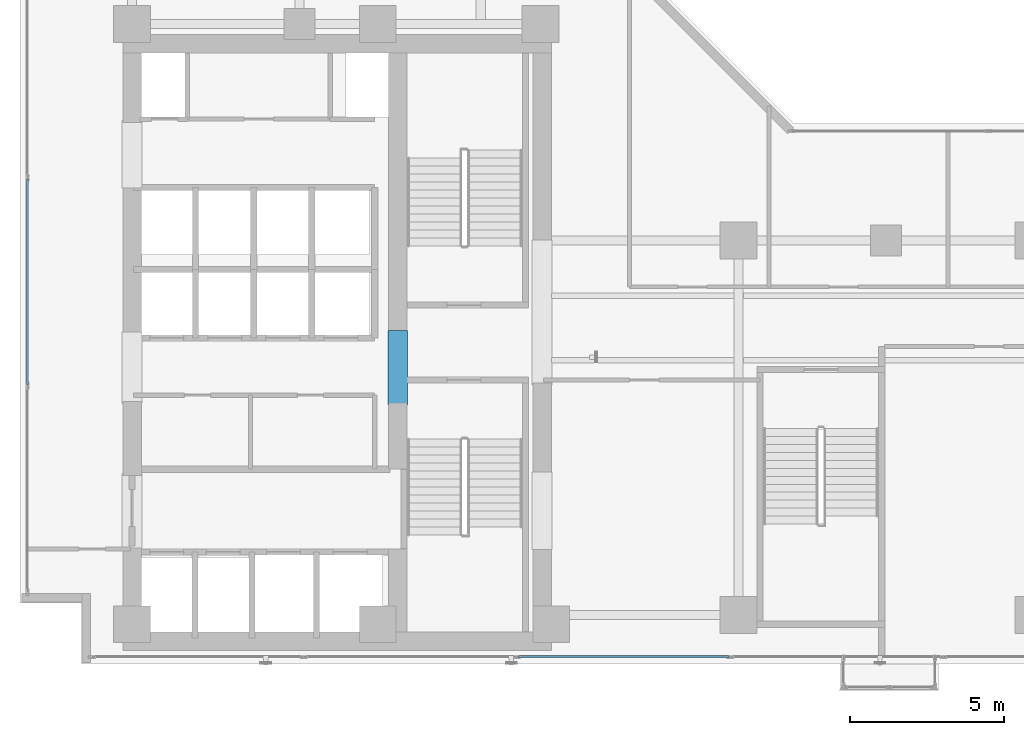
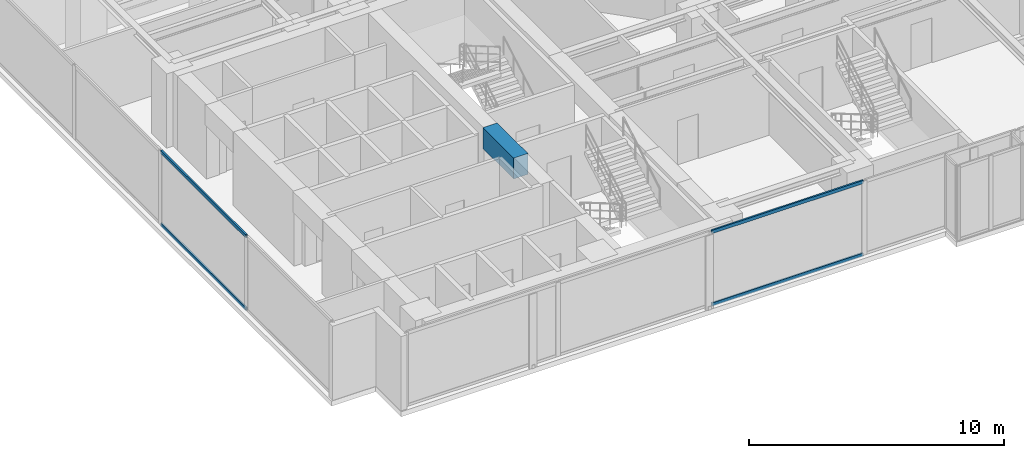
# One storey, part 3 of 24: 4 members, 1 beam, 2 elements without a shape of their own.
"""IFC4 building model written with IfcOpenShell, lengths in metres."""

from ifc_helpers import new_model, si_unit, direction, frame, origin, origin_with_axes, origin_2d, place, context, subcontext, project, spatial, rectangle, hollow_rectangle, extrude, source, transform, mapped, material, layer, layer_set, material_profile, profile_set, type_object, element, aggregate, save


model = new_model("IFC4")

# Units and contexts
model_context = context("Model", 3, precision=1e-05, world=origin(), true_north=direction((0.0, 1.0)))
body_context = subcontext(model_context, "Body", "Model", "MODEL_VIEW")
ifc_project = project(units=[si_unit("LENGTHUNIT", "METRE"), si_unit("AREAUNIT", "SQUARE_METRE"), si_unit("VOLUMEUNIT", "CUBIC_METRE"), si_unit("PLANEANGLEUNIT", "RADIAN"), si_unit("MASSUNIT", "GRAM", prefix="KILO")], contexts=[model_context])

# Site, building, storey
site_placement = place(None, origin())
site = spatial("IfcSite", under=ifc_project, at=site_placement, CompositionType="ELEMENT")
building_placement = place(site_placement, origin())
building = spatial("IfcBuilding", under=site, at=building_placement, Name="Kolvaren Waterfront Exchange", CompositionType="ELEMENT")
storey_placement = place(building_placement, frame((0.0, 0.0, 157.60009765625)))
storey = spatial("IfcBuildingStorey", under=building, at=storey_placement, Name="L40", CompositionType="ELEMENT", Elevation=157.60009765625)

# Beam
ifc_material_1 = material(Name="Concrete C60/75", Category="concrete")
ifc_material_profile_1 = material_profile(ifc_material_1, rectangle(XDim=0.64990234375, YDim=1.0, at=origin_2d()), Name="RC-CB-1000x650")
ifc_profile_set_1 = profile_set([ifc_material_profile_1], Name="Concrete C60/75")
beam_type = type_object("IfcBeamType", Name="STR-CB-1000", PredefinedType="SPANDREL", material=ifc_profile_set_1)
beam_placement = place(storey_placement, frame((16.10009765625, 12.0400390625, 3.059814453125), z_axis=(0.0, 1.0, 0.0), x_axis=(-1.0, 0.0, 0.0)))
element("IfcBeam", 1, at=beam_placement, inside=storey, type_object=beam_type, Name="L40 core coupling beam 6", PredefinedType="SPANDREL", context=body_context, shape_type="SweptSolid", body=[
    extrude(rectangle(XDim=0.64990234375, YDim=1.0, at=origin_2d()), origin(), (0.0, 0.0, 1.0), 2.419921875),
])

# Curtain wall, members
ifc_material_2 = material(Name="Anodised bronze aluminium 6063-T6", Category="aluminium")
ifc_layer_1 = layer(ifc_material_2, 0.219970703125, Name="Anodised bronze aluminium 6063-T6")
ifc_layer_set_1 = layer_set([ifc_layer_1], Name="Anodised bronze aluminium 6063-T6")
curtain_wall_type_1 = type_object("IfcCurtainWallType", Name="ARC-CW-SYS1", PredefinedType="USERDEFINED", material=ifc_layer_set_1)
curtain_wall_1_placement = place(storey_placement, origin())
curtain_wall_1 = element("IfcCurtainWall", 2, at=curtain_wall_1_placement, inside=storey, type_object=curtain_wall_type_1, Name="L40 stick curtain wall CW1 (CW-L40-S)", ObjectType="STICK CURTAIN WALL", PredefinedType="USERDEFINED")
ifc_material_3 = material(Name="Anodised aluminium 6063-T6", Category="aluminium")
ifc_material_profile_2 = material_profile(ifc_material_3, hollow_rectangle(XDim=0.074951171875, YDim=0.159912109375, WallThickness=0.00439453125, at=origin_2d()), Name="ALU-TRN-160x75x4.5")
ifc_profile_set_2 = profile_set([ifc_material_profile_2], Name="Anodised aluminium 6063-T6")
member_type = type_object("IfcMemberType", Name="ARC-CWT-160", PredefinedType="USERDEFINED", material=ifc_profile_set_2)
shared_shape_1 = source(origin_with_axes(), body_context, "Body", "SweptSolid", [
    extrude(hollow_rectangle(XDim=0.074951171875, YDim=0.159912109375, WallThickness=0.00439453125, at=origin_2d()), origin(), (0.0, 0.0, 1.0), 6.863037109375),
])
member_1_placement = place(storey_placement, frame((20.025634765625, 3.840087890625, 0.037353515625), z_axis=(1.0, 0.0, 0.0), x_axis=(0.0, 1.0, 0.0)))
member_1 = element("IfcMember", 3, at=member_1_placement, type_object=member_type, Name="CW1 transom 3.1", ObjectType="TRANSOM", PredefinedType="USERDEFINED", context=body_context, shape_type="MappedRepresentation", body=[
    mapped(shared_shape_1, transform((0.0, 0.0, 0.0), x_axis=(1.0, 0.0, 0.0), y_axis=(0.0, 1.0, 0.0), z_axis=(0.0, 0.0, 1.0), scale=1.0)),
])
member_2_placement = place(storey_placement, frame((20.025634765625, 3.840087890625, 3.5224609375), z_axis=(1.0, 0.0, 0.0), x_axis=(0.0, 1.0, 0.0)))
member_2 = element("IfcMember", 4, at=member_2_placement, type_object=member_type, Name="CW1 transom 3.2", ObjectType="TRANSOM", PredefinedType="USERDEFINED", context=body_context, shape_type="MappedRepresentation", body=[
    mapped(shared_shape_1, transform((0.0, 0.0, 0.0), x_axis=(1.0, 0.0, 0.0), y_axis=(0.0, 1.0, 0.0), z_axis=(0.0, 0.0, 1.0), scale=1.0)),
])
aggregate(curtain_wall_1, [member_1, member_2])

ifc_layer_2 = layer(ifc_material_3, 0.219970703125, Name="Anodised aluminium 6063-T6")
ifc_layer_set_2 = layer_set([ifc_layer_2], Name="Anodised aluminium 6063-T6")
curtain_wall_type_2 = type_object("IfcCurtainWallType", Name="ARC-CW-SYS2", PredefinedType="USERDEFINED", material=ifc_layer_set_2)
curtain_wall_2_placement = place(storey_placement, origin())
curtain_wall_2 = element("IfcCurtainWall", 5, at=curtain_wall_2_placement, inside=storey, type_object=curtain_wall_type_2, Name="L40 stick curtain wall CW2 (CW-L40-W)", ObjectType="STICK CURTAIN WALL", PredefinedType="USERDEFINED")
shared_shape_2 = source(origin_with_axes(), body_context, "Body", "SweptSolid", [
    extrude(hollow_rectangle(XDim=0.074951171875, YDim=0.159912109375, WallThickness=0.00439453125, at=origin_2d()), origin(), (0.0, 0.0, 1.0), 6.6865234375),
])
member_3_placement = place(storey_placement, frame((4.0400390625, 12.706787109375, 0.037353515625), z_axis=(0.0, 1.0, 0.0), x_axis=(-1.0, 0.0, 0.0)))
member_3 = element("IfcMember", 6, at=member_3_placement, type_object=member_type, Name="CW2 transom 2.1", ObjectType="TRANSOM", PredefinedType="USERDEFINED", context=body_context, shape_type="MappedRepresentation", body=[
    mapped(shared_shape_2, transform((0.0, 0.0, 0.0), x_axis=(1.0, 0.0, 0.0), y_axis=(0.0, 1.0, 0.0), z_axis=(0.0, 0.0, 1.0), scale=1.0)),
])
member_4_placement = place(storey_placement, frame((4.0400390625, 12.706787109375, 3.5224609375), z_axis=(0.0, 1.0, 0.0), x_axis=(-1.0, 0.0, 0.0)))
member_4 = element("IfcMember", 7, at=member_4_placement, type_object=member_type, Name="CW2 transom 2.2", ObjectType="TRANSOM", PredefinedType="USERDEFINED", context=body_context, shape_type="MappedRepresentation", body=[
    mapped(shared_shape_2, transform((0.0, 0.0, 0.0), x_axis=(1.0, 0.0, 0.0), y_axis=(0.0, 1.0, 0.0), z_axis=(0.0, 0.0, 1.0), scale=1.0)),
])
aggregate(curtain_wall_2, [member_3, member_4])

save(model, "model.ifc")
